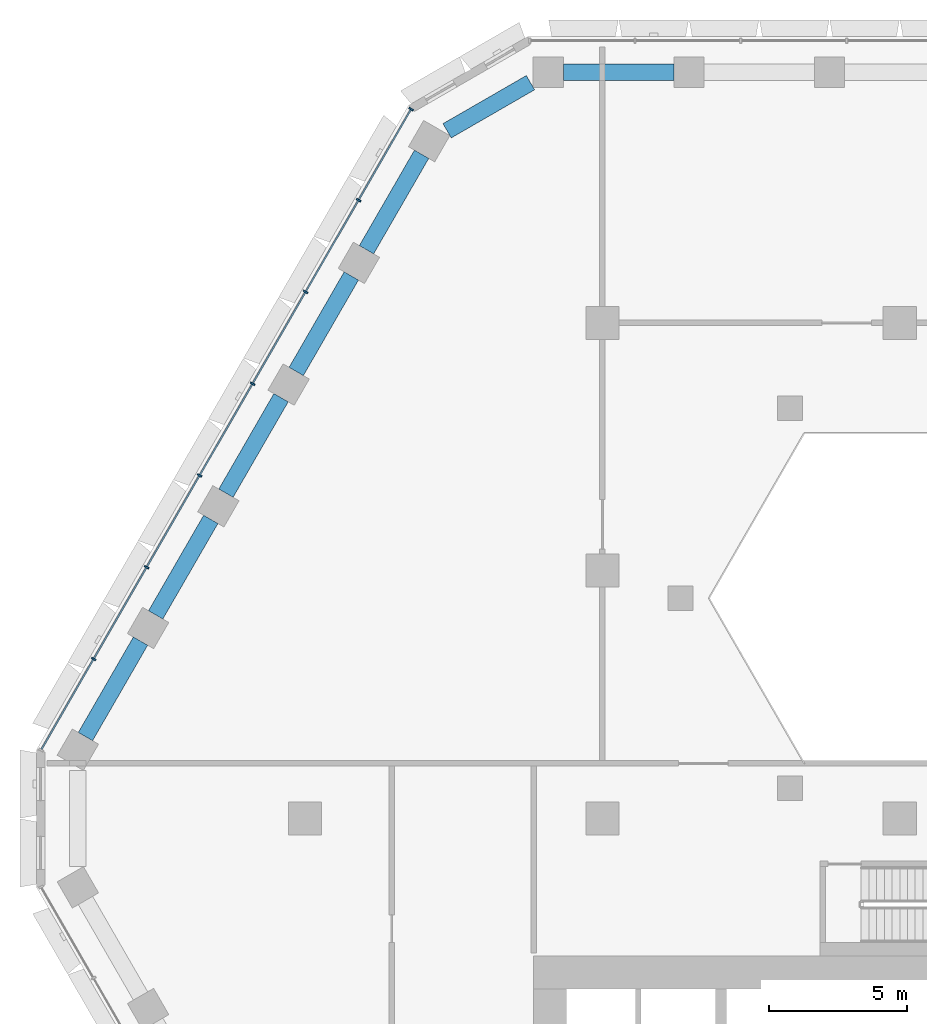
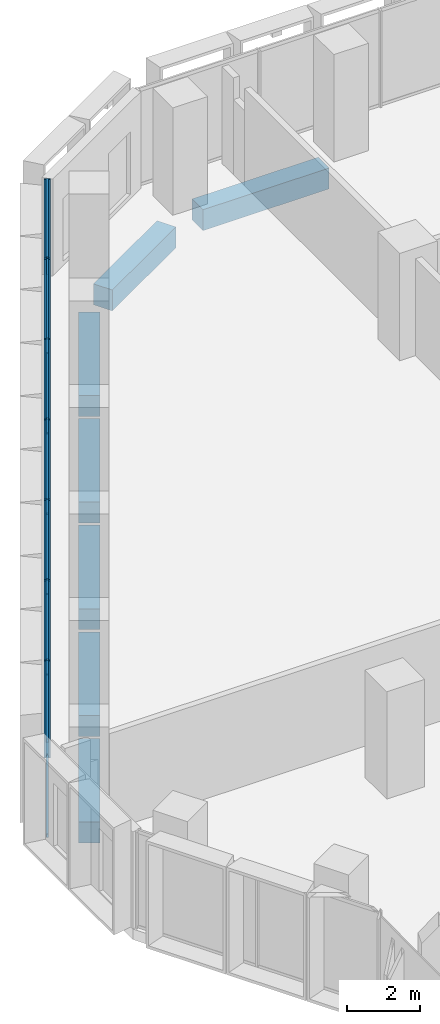
# One storey, part 6 of 25: 21 members, 7 beams, 1 element without a shape of its own.
"""IFC4 building model written with IfcOpenShell, lengths in metres."""

import ifcopenshell
import ifcopenshell.guid

model = None  # the IFC model being written
_history = None  # IfcOwnerHistory: only IFC2X3 demands one
_inside = {}  # id of a spatial element -> (the spatial element, [elements in it])
_under = {}  # id of a project, library or spatial element -> (it, [spatial elements below it])
_declared = {}  # id of a project -> (the project, [libraries it declares])
_typed = {}  # id of a type object -> (the type object, [elements of that type])
_made_of = {}  # id of a material, layer set ... -> (it, [elements and type objects made of it])


def new_model(schema):
    """Start an empty IFC model of exactly this schema.

    Asked for "IFC4X3", IfcOpenShell would pick the latest addendum, in which some entities
    have other attributes; the version numbers below select the first issue.
    IFC2X3 requires an IfcOwnerHistory on every rooted entity: one is made here for all.
    """
    global model, _history
    if schema == "IFC4X3":
        model = ifcopenshell.file(schema_version=(4, 3, 0, 0))
    else:
        model = ifcopenshell.file(schema=schema)
    _inside.clear()
    _under.clear()
    _declared.clear()
    _typed.clear()
    _made_of.clear()
    _history = None
    if model.schema == "IFC2X3":
        org = make("IfcOrganization", Name="unknown")
        user = make(
            "IfcPersonAndOrganization",
            ThePerson=make("IfcPerson", FamilyName="unknown"),
            TheOrganization=org,
        )
        app = make(
            "IfcApplication",
            ApplicationDeveloper=org,
            Version="unknown",
            ApplicationFullName="unknown",
            ApplicationIdentifier="unknown",
        )
        _history = make(
            "IfcOwnerHistory",
            OwningUser=user,
            OwningApplication=app,
            ChangeAction="ADDED",
            CreationDate=0,
        )
    return model


def make(cls, **values):
    """One entity of the class cls with the attributes given. An attribute that is None is left unset."""
    return model.create_entity(
        cls, **{name: value for name, value in values.items() if value is not None}
    )


def rooted(cls, **values):
    """An entity with a GlobalId (a new one), such as an element, a storey or a relation."""
    return make(cls, GlobalId=ifcopenshell.guid.new(), OwnerHistory=_history, **values)


def si_unit(unit_type, name, prefix=None):
    """IfcSIUnit, for example si_unit("LENGTHUNIT", "METRE", prefix="MILLI")."""
    return make("IfcSIUnit", UnitType=unit_type, Prefix=prefix, Name=name)


def assignment(units):
    """IfcUnitAssignment: the units of a project."""
    return None if units is None else make("IfcUnitAssignment", Units=units)


def point(xyz):
    """IfcCartesianPoint."""
    return None if xyz is None else make("IfcCartesianPoint", Coordinates=xyz)


def direction(xyz):
    """IfcDirection."""
    return None if xyz is None else make("IfcDirection", DirectionRatios=xyz)


def frame(location, z_axis=None, x_axis=None):
    """IfcAxis2Placement3D, a coordinate frame: its origin and axes. An axis left out is left unset."""
    return make(
        "IfcAxis2Placement3D",
        Location=point(location),
        Axis=direction(z_axis),
        RefDirection=direction(x_axis),
    )


def frame_2d(location, x_axis=None):
    """IfcAxis2Placement2D, a coordinate frame in the plane: its origin and x axis."""
    return make(
        "IfcAxis2Placement2D", Location=point(location), RefDirection=direction(x_axis)
    )


def origin():
    """The frame at (0, 0, 0) with its axes left unset."""
    return frame((0.0, 0.0, 0.0))


def origin_2d():
    """The frame at (0, 0) in the plane with its x axis left unset."""
    return frame_2d((0.0, 0.0))


def place(relative_to, where):
    """IfcLocalPlacement: puts the frame where relative to a parent placement (None: the world)."""
    return make(
        "IfcLocalPlacement", PlacementRelTo=relative_to, RelativePlacement=where
    )


def context(
    kind, dimensions, precision=None, world=None, true_north=None, identifier=None
):
    """IfcGeometricRepresentationContext, for example the 3D "Model" context."""
    return make(
        "IfcGeometricRepresentationContext",
        ContextIdentifier=identifier,
        ContextType=kind,
        CoordinateSpaceDimension=dimensions,
        Precision=precision,
        WorldCoordinateSystem=world,
        TrueNorth=true_north,
    )


def subcontext(parent, identifier, kind, view, scale=None):
    """IfcGeometricRepresentationSubContext, for example "Body" below "Model"."""
    return make(
        "IfcGeometricRepresentationSubContext",
        ContextIdentifier=identifier,
        ContextType=kind,
        ParentContext=parent,
        TargetScale=scale,
        TargetView=view,
    )


def project(units=None, contexts=None):
    """IfcProject with its units and contexts."""
    return rooted(
        "IfcProject",
        Name="project",
        RepresentationContexts=contexts,
        UnitsInContext=assignment(units),
    )


def spatial(cls, under=None, at=None, **own):
    """A site, building, storey or space (cls), placed at a placement, below another one or the project."""
    s = rooted(cls, ObjectPlacement=at, **own)
    if under is not None:
        _under.setdefault(under.id(), (under, []))[1].append(s)
    return s


def profile(cls, at=None, kind="AREA", **sizes):
    """A parametric profile (cls). Its sizes go by their IFC names, for example OverallWidth=200.0."""
    return make(cls, ProfileType=kind, Position=at, **sizes)


def rectangle(**sizes):
    """IfcRectangleProfileDef."""
    return profile("IfcRectangleProfileDef", **sizes)


def hollow_rectangle(**sizes):
    """IfcRectangleHollowProfileDef."""
    return profile("IfcRectangleHollowProfileDef", **sizes)


def extrude(swept, where, along, depth):
    """IfcExtrudedAreaSolid: the profile swept, set in the frame where, extruded along a direction by depth."""
    return make(
        "IfcExtrudedAreaSolid",
        SweptArea=swept,
        Position=where,
        ExtrudedDirection=direction(along),
        Depth=depth,
    )


def shape(context_of_items, identifier, shape_type, items):
    """IfcShapeRepresentation: the items that make up one representation, for example the "Body"."""
    return make(
        "IfcShapeRepresentation",
        ContextOfItems=context_of_items,
        RepresentationIdentifier=identifier,
        RepresentationType=shape_type,
        Items=items,
    )


def material(Name=None, Category=None):
    """IfcMaterial."""
    return make("IfcMaterial", Name=Name, Category=Category)


def material_profile(
    of_material, cross_section, Name=None, Category=None, Priority=None
):
    """IfcMaterialProfile: a cross section and its material."""
    return make(
        "IfcMaterialProfile",
        Name=Name,
        Material=of_material,
        Profile=cross_section,
        Priority=Priority,
        Category=Category,
    )


def profile_set(profiles, Name=None, composite=None):
    """IfcMaterialProfileSet."""
    return make(
        "IfcMaterialProfileSet",
        Name=Name,
        MaterialProfiles=profiles,
        CompositeProfile=composite,
    )


def made_of(thing, what):
    """Note that an element or type object is made of a material, layer set ...; save() writes the relation."""
    if what is not None:
        _made_of.setdefault(what.id(), (what, []))[1].append(thing)
    return thing


def type_object(cls, material=None, **own):
    """A type object (cls), such as IfcWallType, which elements share."""
    return made_of(rooted(cls, **own), material)


def element(
    cls,
    number,
    at=None,
    inside=None,
    cuts=None,
    type_object=None,
    material=None,
    context=None,
    identifier="Body",
    shape_type=None,
    held_by="IfcProductDefinitionShape",
    body=None,
    shapes=None,
    **own,
):
    """One element of the class cls, such as IfcWall. Its Tag is "e" and its number.

    at: its placement. inside: the storey or other place that contains it. cuts: it is an
    opening in that element (IfcRelVoidsElement). A single representation is given by context,
    identifier, shape_type and body (its items); several are given by shapes. held_by: the class
    of the entity that holds the representations. save() writes the other relations.
    """
    e = rooted(cls, Tag="e%d" % number, ObjectPlacement=at, **own)
    if body is not None:
        shapes = [shape(context, identifier, shape_type, body)]
    if shapes is not None:
        e.Representation = make(held_by, Representations=shapes)
    if inside is not None:
        _inside.setdefault(inside.id(), (inside, []))[1].append(e)
    if cuts is not None:
        rooted(
            "IfcRelVoidsElement", RelatingBuildingElement=cuts, RelatedOpeningElement=e
        )
    if type_object is not None:
        _typed.setdefault(type_object.id(), (type_object, []))[1].append(e)
    return made_of(e, material)


def aggregate(whole, parts):
    """IfcRelAggregates: a whole, such as a stair, and the parts it consists of."""
    return rooted("IfcRelAggregates", RelatingObject=whole, RelatedObjects=parts)


def save(model, path):
    """Write the relations noted so far, then the file.

    IfcRelAggregates (storeys below a building ...), IfcRelContainedInSpatialStructure (elements
    in a storey), IfcRelDefinesByType, IfcRelAssociatesMaterial and IfcRelDeclares: one each for
    every whole, place, type object, material and project.
    """
    for whole, parts in _under.values():
        aggregate(whole, parts)
    for where, things in _inside.values():
        rooted(
            "IfcRelContainedInSpatialStructure",
            RelatedElements=things,
            RelatingStructure=where,
        )
    for kind, things in _typed.values():
        rooted("IfcRelDefinesByType", RelatedObjects=things, RelatingType=kind)
    for what, things in _made_of.values():
        rooted("IfcRelAssociatesMaterial", RelatedObjects=things, RelatingMaterial=what)
    for by, libraries in _declared.values():
        rooted("IfcRelDeclares", RelatingContext=by, RelatedDefinitions=libraries)
    model.write(path)


model = new_model("IFC4")

# Units and contexts
model_context = context("Model", 3, precision=1e-05, world=origin(), true_north=direction((0.0, 1.0)))
body_context = subcontext(model_context, "Body", "Model", "MODEL_VIEW")
ifc_project = project(units=[si_unit("LENGTHUNIT", "METRE"), si_unit("AREAUNIT", "SQUARE_METRE"), si_unit("VOLUMEUNIT", "CUBIC_METRE"), si_unit("PLANEANGLEUNIT", "RADIAN"), si_unit("MASSUNIT", "GRAM", prefix="KILO")], contexts=[model_context])

# Site, building, storey
site_placement = place(None, origin())
site = spatial("IfcSite", under=ifc_project, at=site_placement, CompositionType="ELEMENT")
building_placement = place(site_placement, origin())
building = spatial("IfcBuilding", under=site, at=building_placement, Name="Beryl Residences", CompositionType="ELEMENT")
storey_placement = place(building_placement, frame((0.0, 0.0, 16.199951171875)))
storey = spatial("IfcBuildingStorey", under=building, at=storey_placement, Name="L04", CompositionType="ELEMENT", Elevation=16.199951171875)

# Curtain wall, members
ifc_material_1 = material(Name="Aluminium and clear glass", Category="aluminium")
curtain_wall_type = type_object("IfcCurtainWallType", Name="CW2 amenity glazing glazed wall", PredefinedType="NOTDEFINED", material=ifc_material_1)
curtain_wall_placement = place(storey_placement, origin())
curtain_wall = element("IfcCurtainWall", 1, at=curtain_wall_placement, inside=storey, type_object=curtain_wall_type, Name="CW2 L04 NW", PredefinedType="NOTDEFINED")
ifc_material_2 = material(Name="Aluminium", Category="aluminium")
ifc_material_profile_1 = material_profile(ifc_material_2, rectangle(XDim=0.06005859375, YDim=0.179931640625, at=origin_2d()))
ifc_profile_set_1 = profile_set([ifc_material_profile_1], Name="Aluminium")
member_type_1 = type_object("IfcMemberType", Name="CW2-M mullion 60 x 180 mm", PredefinedType="MULLION", material=ifc_profile_set_1)
member_1_placement = place(storey_placement, frame((-17.7451171875, 25.763916015625, 0.0), z_axis=(0.0, 0.0, 1.0), x_axis=(-0.500011643322, -0.866018681405, 0.0)))
member_1 = element("IfcMember", 2, at=member_1_placement, type_object=member_type_1, Name="CW2 mullion 1", PredefinedType="MULLION", context=body_context, shape_type="SweptSolid", body=[
    extrude(rectangle(XDim=0.06005859375, YDim=0.179931640625, at=origin_2d()), origin(), (0.0, 0.0, 1.0), 3.25),
])
member_2_placement = place(storey_placement, frame((-19.654296875, 22.45703125, 0.0), z_axis=(0.0, 0.0, 1.0), x_axis=(-0.500011643322, -0.866018681405, 0.0)))
member_2 = element("IfcMember", 3, at=member_2_placement, type_object=member_type_1, Name="CW2 mullion 2", PredefinedType="MULLION", context=body_context, shape_type="SweptSolid", body=[
    extrude(rectangle(XDim=0.06005859375, YDim=0.179931640625, at=origin_2d()), origin(), (0.0, 0.0, 1.0), 3.25),
])
member_3_placement = place(storey_placement, frame((-21.57861328125, 19.124267578125, 0.0), z_axis=(0.0, 0.0, 1.0), x_axis=(-0.500011643322, -0.866018681405, 0.0)))
member_3 = element("IfcMember", 4, at=member_3_placement, type_object=member_type_1, Name="CW2 mullion 3", PredefinedType="MULLION", context=body_context, shape_type="SweptSolid", body=[
    extrude(rectangle(XDim=0.06005859375, YDim=0.179931640625, at=origin_2d()), origin(), (0.0, 0.0, 1.0), 3.25),
])
member_4_placement = place(storey_placement, frame((-23.5029296875, 15.79150390625, 0.0), z_axis=(0.0, 0.0, 1.0), x_axis=(-0.500011643322, -0.866018681405, 0.0)))
member_4 = element("IfcMember", 5, at=member_4_placement, type_object=member_type_1, Name="CW2 mullion 4", PredefinedType="MULLION", context=body_context, shape_type="SweptSolid", body=[
    extrude(rectangle(XDim=0.06005859375, YDim=0.179931640625, at=origin_2d()), origin(), (0.0, 0.0, 1.0), 3.25),
])
member_5_placement = place(storey_placement, frame((-25.42724609375, 12.45849609375, 0.0), z_axis=(0.0, 0.0, 1.0), x_axis=(-0.500011643322, -0.866018681405, 0.0)))
member_5 = element("IfcMember", 6, at=member_5_placement, type_object=member_type_1, Name="CW2 mullion 5", PredefinedType="MULLION", context=body_context, shape_type="SweptSolid", body=[
    extrude(rectangle(XDim=0.06005859375, YDim=0.179931640625, at=origin_2d()), origin(), (0.0, 0.0, 1.0), 3.25),
])
member_6_placement = place(storey_placement, frame((-27.351318359375, 9.125732421875, 0.0), z_axis=(0.0, 0.0, 1.0), x_axis=(-0.500011643322, -0.866018681405, 0.0)))
member_6 = element("IfcMember", 7, at=member_6_placement, type_object=member_type_1, Name="CW2 mullion 6", PredefinedType="MULLION", context=body_context, shape_type="SweptSolid", body=[
    extrude(rectangle(XDim=0.06005859375, YDim=0.179931640625, at=origin_2d()), origin(), (0.0, 0.0, 1.0), 3.25),
])
member_7_placement = place(storey_placement, frame((-29.275634765625, 5.79296875, 0.0), z_axis=(0.0, 0.0, 1.0), x_axis=(-0.500011643322, -0.866018681405, 0.0)))
member_7 = element("IfcMember", 8, at=member_7_placement, type_object=member_type_1, Name="CW2 mullion 7", PredefinedType="MULLION", context=body_context, shape_type="SweptSolid", body=[
    extrude(rectangle(XDim=0.06005859375, YDim=0.179931640625, at=origin_2d()), origin(), (0.0, 0.0, 1.0), 3.25),
])
ifc_material_3 = material(Name="Aluminium", Category="aluminium")
ifc_material_profile_2 = material_profile(ifc_material_3, hollow_rectangle(XDim=0.06005859375, YDim=0.1201171875, WallThickness=0.00390625, at=origin_2d()))
ifc_profile_set_2 = profile_set([ifc_material_profile_2], Name="Aluminium")
member_type_2 = type_object("IfcMemberType", Name="CW2-T transom 60 x 120 mm", PredefinedType="USERDEFINED", material=ifc_profile_set_2)
member_8_placement = place(storey_placement, frame((-17.760009765625, 25.738037109375, 0.030029296875), z_axis=(-0.500037327496, -0.866003851672, 0.0), x_axis=(0.866003851672, -0.500037327496, 0.0)))
member_8 = element("IfcMember", 9, at=member_8_placement, type_object=member_type_2, Name="CW2 transom 1.1", ObjectType="TRANSOM", PredefinedType="USERDEFINED", context=body_context, shape_type="SweptSolid", body=[
    extrude(hollow_rectangle(XDim=0.06005859375, YDim=0.1201171875, WallThickness=0.00390625, at=origin_2d()), origin(), (0.0, 0.0, 1.0), 3.758544921875),
])
member_9_placement = place(storey_placement, frame((-17.760009765625, 25.738037109375, 3.219970703125), z_axis=(-0.500037327496, -0.866003851672, 0.0), x_axis=(0.866003851672, -0.500037327496, 0.0)))
member_9 = element("IfcMember", 10, at=member_9_placement, type_object=member_type_2, Name="CW2 transom 1.2", ObjectType="TRANSOM", PredefinedType="USERDEFINED", context=body_context, shape_type="SweptSolid", body=[
    extrude(hollow_rectangle(XDim=0.06005859375, YDim=0.1201171875, WallThickness=0.00390625, at=origin_2d()), origin(), (0.0, 0.0, 1.0), 3.758544921875),
])
member_10_placement = place(storey_placement, frame((-19.669189453125, 22.43115234375, 0.030029296875), z_axis=(-0.499999503755, -0.866025690291, 0.0), x_axis=(0.866025690291, -0.499999503755, 0.0)))
member_10 = element("IfcMember", 11, at=member_10_placement, type_object=member_type_2, Name="CW2 transom 2.1", ObjectType="TRANSOM", PredefinedType="USERDEFINED", context=body_context, shape_type="SweptSolid", body=[
    extrude(hollow_rectangle(XDim=0.06005859375, YDim=0.1201171875, WallThickness=0.00390625, at=origin_2d()), origin(), (0.0, 0.0, 1.0), 3.78857421875),
])
member_11_placement = place(storey_placement, frame((-19.669189453125, 22.43115234375, 3.219970703125), z_axis=(-0.499999503755, -0.866025690291, 0.0), x_axis=(0.866025690291, -0.499999503755, 0.0)))
member_11 = element("IfcMember", 12, at=member_11_placement, type_object=member_type_2, Name="CW2 transom 2.2", ObjectType="TRANSOM", PredefinedType="USERDEFINED", context=body_context, shape_type="SweptSolid", body=[
    extrude(hollow_rectangle(XDim=0.06005859375, YDim=0.1201171875, WallThickness=0.00390625, at=origin_2d()), origin(), (0.0, 0.0, 1.0), 3.78857421875),
])
member_12_placement = place(storey_placement, frame((-21.593505859375, 19.098388671875, 0.030029296875), z_axis=(-0.499999503755, -0.866025690291, 0.0), x_axis=(0.866025690291, -0.499999503755, 0.0)))
member_12 = element("IfcMember", 13, at=member_12_placement, type_object=member_type_2, Name="CW2 transom 3.1", ObjectType="TRANSOM", PredefinedType="USERDEFINED", context=body_context, shape_type="SweptSolid", body=[
    extrude(hollow_rectangle(XDim=0.06005859375, YDim=0.1201171875, WallThickness=0.00390625, at=origin_2d()), origin(), (0.0, 0.0, 1.0), 3.78857421875),
])
member_13_placement = place(storey_placement, frame((-21.593505859375, 19.098388671875, 3.219970703125), z_axis=(-0.499999503755, -0.866025690291, 0.0), x_axis=(0.866025690291, -0.499999503755, 0.0)))
member_13 = element("IfcMember", 14, at=member_13_placement, type_object=member_type_2, Name="CW2 transom 3.2", ObjectType="TRANSOM", PredefinedType="USERDEFINED", context=body_context, shape_type="SweptSolid", body=[
    extrude(hollow_rectangle(XDim=0.06005859375, YDim=0.1201171875, WallThickness=0.00390625, at=origin_2d()), origin(), (0.0, 0.0, 1.0), 3.78857421875),
])
member_14_placement = place(storey_placement, frame((-23.517822265625, 15.765380859375, 0.030029296875), z_axis=(-0.500027408906, -0.866009578667, 0.0), x_axis=(0.866009578667, -0.500027408906, 0.0)))
member_14 = element("IfcMember", 15, at=member_14_placement, type_object=member_type_2, Name="CW2 transom 4.1", ObjectType="TRANSOM", PredefinedType="USERDEFINED", context=body_context, shape_type="SweptSolid", body=[
    extrude(hollow_rectangle(XDim=0.06005859375, YDim=0.1201171875, WallThickness=0.00390625, at=origin_2d()), origin(), (0.0, 0.0, 1.0), 3.788330078125),
])
member_15_placement = place(storey_placement, frame((-23.517822265625, 15.765380859375, 3.219970703125), z_axis=(-0.500027408906, -0.866009578667, 0.0), x_axis=(0.866009578667, -0.500027408906, 0.0)))
member_15 = element("IfcMember", 16, at=member_15_placement, type_object=member_type_2, Name="CW2 transom 4.2", ObjectType="TRANSOM", PredefinedType="USERDEFINED", context=body_context, shape_type="SweptSolid", body=[
    extrude(hollow_rectangle(XDim=0.06005859375, YDim=0.1201171875, WallThickness=0.00390625, at=origin_2d()), origin(), (0.0, 0.0, 1.0), 3.788330078125),
])
member_16_placement = place(storey_placement, frame((-25.442138671875, 12.4326171875, 0.030029296875), z_axis=(-0.499999503755, -0.866025690291, 0.0), x_axis=(0.866025690291, -0.499999503755, 0.0)))
member_16 = element("IfcMember", 17, at=member_16_placement, type_object=member_type_2, Name="CW2 transom 5.1", ObjectType="TRANSOM", PredefinedType="USERDEFINED", context=body_context, shape_type="SweptSolid", body=[
    extrude(hollow_rectangle(XDim=0.06005859375, YDim=0.1201171875, WallThickness=0.00390625, at=origin_2d()), origin(), (0.0, 0.0, 1.0), 3.78857421875),
])
member_17_placement = place(storey_placement, frame((-25.442138671875, 12.4326171875, 3.219970703125), z_axis=(-0.499999503755, -0.866025690291, 0.0), x_axis=(0.866025690291, -0.499999503755, 0.0)))
member_17 = element("IfcMember", 18, at=member_17_placement, type_object=member_type_2, Name="CW2 transom 5.2", ObjectType="TRANSOM", PredefinedType="USERDEFINED", context=body_context, shape_type="SweptSolid", body=[
    extrude(hollow_rectangle(XDim=0.06005859375, YDim=0.1201171875, WallThickness=0.00390625, at=origin_2d()), origin(), (0.0, 0.0, 1.0), 3.78857421875),
])
member_18_placement = place(storey_placement, frame((-27.366455078125, 9.099853515625, 0.030029296875), z_axis=(-0.499999503755, -0.866025690291, 0.0), x_axis=(0.866025690291, -0.499999503755, 0.0)))
member_18 = element("IfcMember", 19, at=member_18_placement, type_object=member_type_2, Name="CW2 transom 6.1", ObjectType="TRANSOM", PredefinedType="USERDEFINED", context=body_context, shape_type="SweptSolid", body=[
    extrude(hollow_rectangle(XDim=0.06005859375, YDim=0.1201171875, WallThickness=0.00390625, at=origin_2d()), origin(), (0.0, 0.0, 1.0), 3.78857421875),
])
member_19_placement = place(storey_placement, frame((-27.366455078125, 9.099853515625, 3.219970703125), z_axis=(-0.499999503755, -0.866025690291, 0.0), x_axis=(0.866025690291, -0.499999503755, 0.0)))
member_19 = element("IfcMember", 20, at=member_19_placement, type_object=member_type_2, Name="CW2 transom 6.2", ObjectType="TRANSOM", PredefinedType="USERDEFINED", context=body_context, shape_type="SweptSolid", body=[
    extrude(hollow_rectangle(XDim=0.06005859375, YDim=0.1201171875, WallThickness=0.00390625, at=origin_2d()), origin(), (0.0, 0.0, 1.0), 3.78857421875),
])
member_20_placement = place(storey_placement, frame((-29.290771484375, 5.766845703125, 0.030029296875), z_axis=(-0.499988609959, -0.866031979728, 0.0), x_axis=(0.866031979728, -0.499988609959, 0.0)))
member_20 = element("IfcMember", 21, at=member_20_placement, type_object=member_type_2, Name="CW2 transom 7.1", ObjectType="TRANSOM", PredefinedType="USERDEFINED", context=body_context, shape_type="SweptSolid", body=[
    extrude(hollow_rectangle(XDim=0.06005859375, YDim=0.1201171875, WallThickness=0.00390625, at=origin_2d()), origin(), (0.0, 0.0, 1.0), 3.75830078125),
])
member_21_placement = place(storey_placement, frame((-29.290771484375, 5.766845703125, 3.219970703125), z_axis=(-0.499988609959, -0.866031979728, 0.0), x_axis=(0.866031979728, -0.499988609959, 0.0)))
member_21 = element("IfcMember", 22, at=member_21_placement, type_object=member_type_2, Name="CW2 transom 7.2", ObjectType="TRANSOM", PredefinedType="USERDEFINED", context=body_context, shape_type="SweptSolid", body=[
    extrude(hollow_rectangle(XDim=0.06005859375, YDim=0.1201171875, WallThickness=0.00390625, at=origin_2d()), origin(), (0.0, 0.0, 1.0), 3.75830078125),
])
aggregate(curtain_wall, [member_1, member_2, member_3, member_4, member_5, member_6, member_7, member_8, member_9, member_10, member_11, member_12, member_13, member_14, member_15, member_16, member_17, member_18, member_19, member_20, member_21])

# Beams
ifc_material_4 = material(Name="Concrete C80/95", Category="concrete")
ifc_material_profile_3 = material_profile(ifc_material_4, rectangle(XDim=0.60009765625, YDim=0.699951171875, at=origin_2d()))
ifc_profile_set_3 = profile_set([ifc_material_profile_3], Name="Concrete C80/95")
beam_type = type_object("IfcBeamType", Name="SB1 spandrel beam 600 x 700 C80/95", PredefinedType="SPANDREL", material=ifc_profile_set_3)
beam_1_placement = place(storey_placement, frame((-8.20703125, 27.10009765625, -0.699951171875), z_axis=(-1.0, 0.0, 0.0), x_axis=(0.0, -1.0, 0.0)))
element("IfcBeam", 23, at=beam_1_placement, inside=storey, type_object=beam_type, Name="SB1 L04 N-4", PredefinedType="SPANDREL", context=body_context, shape_type="SweptSolid", body=[
    extrude(rectangle(XDim=0.60009765625, YDim=0.699951171875, at=origin_2d()), origin(), (0.0, 0.0, 1.0), 4.00390625),
])
beam_2_placement = place(storey_placement, frame((-13.410888671875, 26.72412109375, -0.699951171875), z_axis=(-0.866121658299, -0.499833245218, 0.0), x_axis=(0.499833245218, -0.866121658299, 0.0)))
element("IfcBeam", 24, at=beam_2_placement, inside=storey, type_object=beam_type, Name="SB1 L04 N-5", PredefinedType="SPANDREL", context=body_context, shape_type="SweptSolid", body=[
    extrude(rectangle(XDim=0.60009765625, YDim=0.699951171875, at=origin_2d()), origin(), (0.0, 0.0, 1.0), 3.497314453125),
])
beam_3_placement = place(storey_placement, frame((-17.364990234375, 24.1240234375, -0.699951171875), z_axis=(-0.499942357345, -0.866058681229, 0.0), x_axis=(0.866058681229, -0.499942357345, 0.0)))
element("IfcBeam", 25, at=beam_3_placement, inside=storey, type_object=beam_type, Name="SB1 L04 NW-0", PredefinedType="SPANDREL", context=body_context, shape_type="SweptSolid", body=[
    extrude(rectangle(XDim=0.60009765625, YDim=0.699951171875, at=origin_2d()), origin(), (0.0, 0.0, 1.0), 4.00439453125),
])
beam_4_placement = place(storey_placement, frame((-19.9169921875, 19.7041015625, -0.699951171875), z_axis=(-0.499836783367, -0.866119616446, 0.0), x_axis=(0.866119616446, -0.499836783367, 0.0)))
element("IfcBeam", 26, at=beam_4_placement, inside=storey, type_object=beam_type, Name="SB1 L04 NW-1", PredefinedType="SPANDREL", context=body_context, shape_type="SweptSolid", body=[
    extrude(rectangle(XDim=0.60009765625, YDim=0.699951171875, at=origin_2d()), origin(), (0.0, 0.0, 1.0), 4.005126953125),
])
for number, where, z_axis, x_axis, name in (
    (27, (-22.468994140625, 15.282958984375, -0.699951171875), (-0.499942357345, -0.866058681229, 0.0), (0.866058681229, -0.499942357345, 0.0), "SB1 L04 NW-2"),
    (28, (-25.02099609375, 10.863037109375, -0.699951171875), (-0.499942357345, -0.866058681229, 0.0), (0.866058681229, -0.499942357345, 0.0), "SB1 L04 NW-3"),
):
    element("IfcBeam", number, at=place(storey_placement, frame(where, z_axis=z_axis, x_axis=x_axis)), inside=storey, type_object=beam_type, Name=name, PredefinedType="SPANDREL", context=body_context, shape_type="SweptSolid", body=[
        extrude(rectangle(XDim=0.60009765625, YDim=0.699951171875, at=origin_2d()), origin(), (0.0, 0.0, 1.0), 4.00439453125),
    ])
beam_5_placement = place(storey_placement, frame((-27.572998046875, 6.443115234375, -0.699951171875), z_axis=(-0.499759404093, -0.866164267342, 0.0), x_axis=(0.866164267342, -0.499759404093, 0.0)))
element("IfcBeam", 29, at=beam_5_placement, inside=storey, type_object=beam_type, Name="SB1 L04 NW-4", PredefinedType="SPANDREL", context=body_context, shape_type="SweptSolid", body=[
    extrude(rectangle(XDim=0.60009765625, YDim=0.699951171875, at=origin_2d()), origin(), (0.0, 0.0, 1.0), 4.00390625),
])

save(model, "model.ifc")
